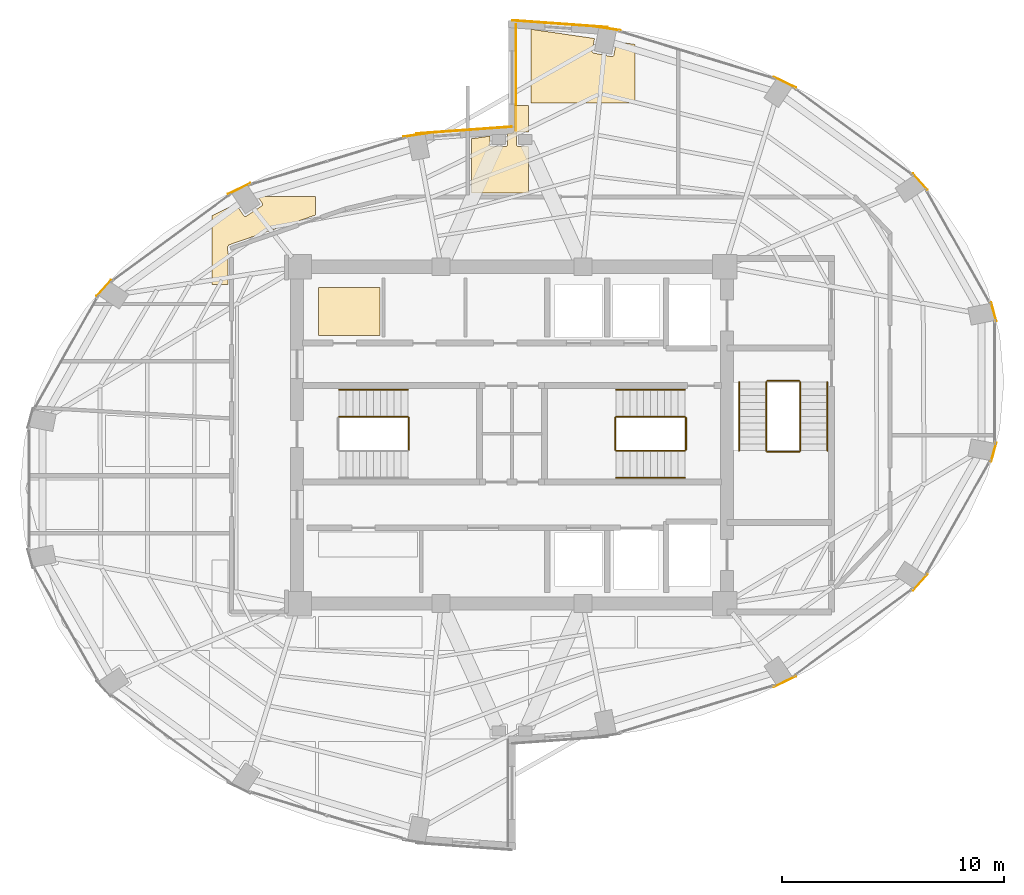
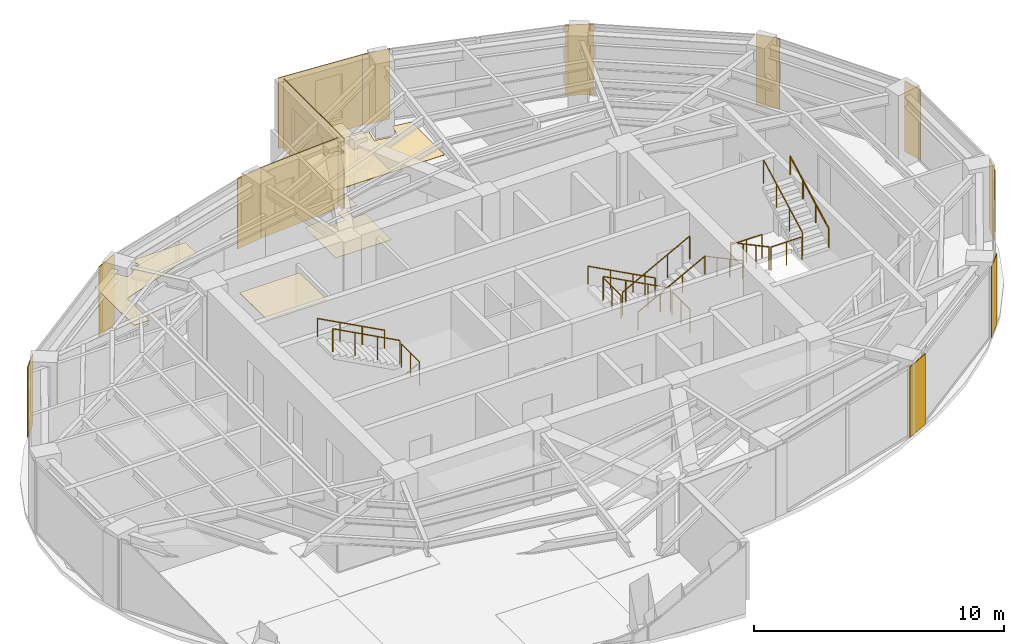
# One storey, part 23 of 23: 18 coverings, 15 railings.
"""IFC4 building model written with IfcOpenShell, lengths in metres."""

from ifc_helpers import new_model, si_unit, direction, frame, origin, origin_2d, place, context, subcontext, project, spatial, polyline, rectangle, circle, outline, extrude, material, layer, layer_set, type_object, element, save


model = new_model("IFC4")

# Units and contexts
model_context = context("Model", 3, precision=1e-05, world=origin(), true_north=direction((0.0, 1.0)))
body_context = subcontext(model_context, "Body", "Model", "MODEL_VIEW")
ifc_project = project(units=[si_unit("LENGTHUNIT", "METRE"), si_unit("AREAUNIT", "SQUARE_METRE"), si_unit("VOLUMEUNIT", "CUBIC_METRE"), si_unit("PLANEANGLEUNIT", "RADIAN"), si_unit("MASSUNIT", "GRAM", prefix="KILO")], contexts=[model_context])

# Site, building, storey
site_placement = place(None, origin())
site = spatial("IfcSite", under=ifc_project, at=site_placement, CompositionType="ELEMENT")
building_placement = place(site_placement, origin())
building = spatial("IfcBuilding", under=site, at=building_placement, Name="Lazwardi Medical Tower", CompositionType="ELEMENT")
storey_placement = place(building_placement, frame((0.0, 0.0, 213.072021484375)))
storey = spatial("IfcBuildingStorey", under=building, at=storey_placement, Name="L55", CompositionType="ELEMENT", Elevation=213.072021484375)

# Coverings
ifc_material_1 = material(Name="Anodised bronze aluminium cassette cladding", Category="aluminium")
ifc_layer_1 = layer(ifc_material_1, 0.030029296875)
ifc_layer_set_1 = layer_set([ifc_layer_1], Name="Anodised bronze aluminium cassette cladding")
covering_type_1 = type_object("IfcCoveringType", Name="COV-CLD-BRZ", PredefinedType="CLADDING", material=ifc_layer_set_1)
covering_1_placement = place(storey_placement, frame((48.311279296875, 16.878662109375, 0.0), z_axis=(0.0, 0.0, 1.0), x_axis=(0.897840141691, 0.440321564278, 0.0)))
element("IfcCovering", 1, at=covering_1_placement, inside=storey, type_object=covering_type_1, Name="L55 Mega-column bronze cassette cover M02", PredefinedType="CLADDING", context=body_context, shape_type="SweptSolid", body=[
    extrude(rectangle(XDim=1.110595703125, YDim=0.030029296875, at=origin_2d()), origin(), (0.0, 0.0, 1.0), 3.447998046875),
])
covering_2_placement = place(storey_placement, frame((54.42529296875, 21.365234375, 0.0), z_axis=(0.0, 0.0, 1.0), x_axis=(0.673240970654, 0.739423150458, 0.0)))
element("IfcCovering", 2, at=covering_2_placement, inside=storey, type_object=covering_type_1, Name="L55 Mega-column bronze cassette cover M03", PredefinedType="CLADDING", context=body_context, shape_type="SweptSolid", body=[
    extrude(rectangle(XDim=0.98974609375, YDim=0.030029296875, at=origin_2d()), origin(), (0.0, 0.0, 1.0), 3.447998046875),
])
for number, where, z_axis, x_axis, name in (
    (3, (57.734130859375, 27.227294921875, 0.0), (0.0, 0.0, 1.0), (0.261641748247, 0.96516506131, 0.0), "L55 Mega-column bronze cassette cover M04"),
    (4, (57.734130859375, 33.572509765625, 0.0), (0.0, 0.0, 1.0), (-0.261641748247, 0.96516506131, 0.0), "L55 Mega-column bronze cassette cover M05"),
):
    element("IfcCovering", number, at=place(storey_placement, frame(where, z_axis=z_axis, x_axis=x_axis)), inside=storey, type_object=covering_type_1, Name=name, PredefinedType="CLADDING", context=body_context, shape_type="SweptSolid", body=[
        extrude(rectangle(XDim=0.894287109375, YDim=0.030029296875, at=origin_2d()), origin(), (0.0, 0.0, 1.0), 3.447998046875),
    ])
covering_3_placement = place(storey_placement, frame((54.42529296875, 39.434814453125, 0.0), z_axis=(0.0, 0.0, 1.0), x_axis=(-0.673240970654, 0.739423150458, 0.0)))
element("IfcCovering", 5, at=covering_3_placement, inside=storey, type_object=covering_type_1, Name="L55 Mega-column bronze cassette cover M06", PredefinedType="CLADDING", context=body_context, shape_type="SweptSolid", body=[
    extrude(rectangle(XDim=0.98974609375, YDim=0.030029296875, at=origin_2d()), origin(), (0.0, 0.0, 1.0), 3.447998046875),
])
covering_4_placement = place(storey_placement, frame((48.311279296875, 43.92138671875, 0.0), z_axis=(0.0, 0.0, 1.0), x_axis=(-0.897840141691, 0.440321564278, 0.0)))
element("IfcCovering", 6, at=covering_4_placement, inside=storey, type_object=covering_type_1, Name="L55 Mega-column bronze cassette cover M07", PredefinedType="CLADDING", context=body_context, shape_type="SweptSolid", body=[
    extrude(rectangle(XDim=1.110595703125, YDim=0.030029296875, at=origin_2d()), origin(), (0.0, 0.0, 1.0), 3.447998046875),
])
for number, where, z_axis, x_axis, name in (
    (7, (40.3232421875, 46.349609375, 0.0), (0.0, 0.0, 1.0), (-0.989512431533, 0.144447733943, 0.0), "L55 Mega-column bronze cassette cover M08"),
    (8, (31.6767578125, 41.549560546875, 0.0), (0.0, 0.0, 1.0), (-0.989512431533, -0.144447733943, 0.0), "L55 Mega-column bronze cassette cover M09"),
):
    element("IfcCovering", number, at=place(storey_placement, frame(where, z_axis=z_axis, x_axis=x_axis)), inside=storey, type_object=covering_type_1, Name=name, PredefinedType="CLADDING", context=body_context, shape_type="SweptSolid", body=[
        extrude(rectangle(XDim=1.188720703125, YDim=0.030029296875, at=origin_2d()), origin(), (0.0, 0.0, 1.0), 3.447998046875),
    ])
covering_5_placement = place(storey_placement, frame((23.688720703125, 39.121337890625, 0.0), z_axis=(0.0, 0.0, 1.0), x_axis=(-0.897840141691, -0.440321564278, 0.0)))
element("IfcCovering", 9, at=covering_5_placement, inside=storey, type_object=covering_type_1, Name="L55 Mega-column bronze cassette cover M10", PredefinedType="CLADDING", context=body_context, shape_type="SweptSolid", body=[
    extrude(rectangle(XDim=1.110595703125, YDim=0.030029296875, at=origin_2d()), origin(), (0.0, 0.0, 1.0), 3.447998046875),
])
covering_6_placement = place(storey_placement, frame((17.57470703125, 34.634765625, 0.0), z_axis=(0.0, 0.0, 1.0), x_axis=(-0.673240970654, -0.739423150458, 0.0)))
element("IfcCovering", 10, at=covering_6_placement, inside=storey, type_object=covering_type_1, Name="L55 Mega-column bronze cassette cover M11", PredefinedType="CLADDING", context=body_context, shape_type="SweptSolid", body=[
    extrude(rectangle(XDim=0.98974609375, YDim=0.030029296875, at=origin_2d()), origin(), (0.0, 0.0, 1.0), 3.447998046875),
])
ifc_material_2 = material(Name="Turquoise glazed ceramic tilework cladding", Category="masonry")
ifc_layer_2 = layer(ifc_material_2, 0.034912109375)
ifc_layer_set_2 = layer_set([ifc_layer_2], Name="Turquoise glazed ceramic tilework cladding")
covering_type_2 = type_object("IfcCoveringType", Name="COV-CLD-TRQ", PredefinedType="CLADDING", material=ifc_layer_set_2)
covering_7_placement = place(storey_placement, frame((38.16259765625, 46.56005859375, 0.0), z_axis=(0.0, 0.0, 1.0), x_axis=(-0.997409491337, 0.071932653157, 0.0)))
element("IfcCovering", 11, at=covering_7_placement, inside=storey, type_object=covering_type_2, Name="L55 Turquoise glazed ceramic tilework cladding", PredefinedType="CLADDING", context=body_context, shape_type="SweptSolid", body=[
    extrude(rectangle(XDim=4.31103515625, YDim=0.034912109375, at=origin_2d()), origin(), (0.0, 0.0, 1.0), 3.447998046875),
])
covering_8_placement = place(storey_placement, frame((33.83740234375, 41.760009765625, 0.0), z_axis=(0.0, 0.0, 1.0), x_axis=(-0.997408989128, -0.071939616387, 0.0)))
element("IfcCovering", 12, at=covering_8_placement, inside=storey, type_object=covering_type_2, Name="L55 Turquoise glazed ceramic tilework cladding", PredefinedType="CLADDING", context=body_context, shape_type="SweptSolid", body=[
    extrude(rectangle(XDim=4.310546875, YDim=0.034912109375, at=origin_2d()), origin(), (0.0, 0.0, 1.0), 3.447998046875),
])
covering_9_placement = place(storey_placement, frame((36.175537109375, 44.139892578125, 0.0), z_axis=(0.0, 0.0, 1.0), x_axis=(0.0, -1.0, 0.0)))
element("IfcCovering", 13, at=covering_9_placement, inside=storey, type_object=covering_type_2, Name="L55 Turquoise glazed ceramic tilework iwan panel", PredefinedType="CLADDING", context=body_context, shape_type="SweptSolid", body=[
    extrude(rectangle(XDim=4.800048828125, YDim=0.034912109375, at=origin_2d()), origin(), (0.0, 0.0, 1.0), 3.447998046875),
])
ifc_material_3 = material(Name="Acoustic mineral fibre tile")
ifc_layer_3 = layer(ifc_material_3, 0.02490234375)
ifc_layer_set_3 = layer_set([ifc_layer_3], Name="Acoustic mineral fibre tile")
covering_type_3 = type_object("IfcCoveringType", Name="COV-CLG-01", PredefinedType="CEILING", material=ifc_layer_set_3)
covering_10_placement = place(storey_placement, frame((0.0, 0.0, 3.302978515625)))
element("IfcCovering", 14, at=covering_10_placement, inside=storey, type_object=covering_type_3, Name="L55 Clinical Acoustic Ceiling 5", PredefinedType="CEILING", context=body_context, shape_type="SweptSolid", body=[
    extrude(outline(polyline([(24.52197265625, 38.7724609375), (24.732177734375, 38.4580078125), (24.736083984375, 38.451171875), (24.739501953125, 38.444091796875), (24.7421875, 38.436767578125), (24.744140625, 38.42919921875), (24.7451171875, 38.42138671875), (24.74560546875, 38.41357421875), (24.7451171875, 38.40576171875), (24.744140625, 38.39794921875), (24.7421875, 38.390380859375), (24.739501953125, 38.3828125), (24.736083984375, 38.375732421875), (24.732177734375, 38.369140625), (24.727294921875, 38.36279296875), (24.72216796875, 38.35693359375), (24.71630859375, 38.351806640625), (24.7099609375, 38.346923828125), (24.01171875, 37.88037109375), (24.0048828125, 37.876220703125), (23.997802734375, 37.872802734375), (23.990478515625, 37.8701171875), (23.98291015625, 37.868408203125), (23.97509765625, 37.8671875), (23.96728515625, 37.86669921875), (23.95947265625, 37.8671875), (23.95166015625, 37.868408203125), (23.944091796875, 37.8701171875), (23.9365234375, 37.872802734375), (23.929443359375, 37.876220703125), (23.9228515625, 37.88037109375), (23.91650390625, 37.885009765625), (23.91064453125, 37.89013671875), (23.905517578125, 37.89599609375), (23.900634765625, 37.90234375), (23.545654296875, 38.43359375), (22.462890625, 37.904052734375), (22.462890625, 34.79248046875), (23.175048828125, 34.79248046875), (23.175048828125, 35.982421875), (23.175048828125, 35.986572265625), (23.175537109375, 35.99609375), (23.176513671875, 36.00439453125), (23.177978515625, 36.01416015625), (23.179443359375, 36.021484375), (23.181884765625, 36.031005859375), (23.1845703125, 36.039306640625), (23.18798828125, 36.04833984375), (23.191162109375, 36.055419921875), (23.1953125, 36.064208984375), (23.199462890625, 36.071533203125), (23.20458984375, 36.079833984375), (23.209228515625, 36.086181640625), (23.212158203125, 36.090087890625), (23.1591796875, 36.40625), (23.15869140625, 36.410400390625), (23.15771484375, 36.419921875), (23.156982421875, 36.42724609375), (23.156982421875, 36.436767578125), (23.1572265625, 36.446044921875), (23.158203125, 36.45556640625), (23.1591796875, 36.462158203125), (23.160888671875, 36.4716796875), (23.162841796875, 36.480224609375), (23.16552734375, 36.4892578125), (23.16796875, 36.49658203125), (23.171630859375, 36.50537109375), (23.1748046875, 36.512451171875), (23.17919921875, 36.52099609375), (23.183837890625, 36.5283203125), (23.189208984375, 36.536376953125), (23.19384765625, 36.54248046875), (23.199951171875, 36.550048828125), (23.205078125, 36.5556640625), (23.211669921875, 36.5625), (23.218017578125, 36.56787109375), (23.225341796875, 36.573974609375), (23.2314453125, 36.57861328125), (23.239501953125, 36.583740234375), (23.24658203125, 36.587890625), (23.2548828125, 36.59228515625), (23.2626953125, 36.595947265625), (23.271728515625, 36.599365234375), (23.27490234375, 36.6005859375), (27.142822265625, 37.932861328125), (27.142822265625, 38.7724609375), (24.52197265625, 38.7724609375)])), origin(), (0.0, 0.0, 1.0), 0.02490234375),
])
covering_11_placement = place(storey_placement, frame((0.0, 0.0, 3.302978515625)))
element("IfcCovering", 15, at=covering_11_placement, inside=storey, type_object=covering_type_3, Name="L55 Clinical Acoustic Ceiling 7", PredefinedType="CEILING", context=body_context, shape_type="SweptSolid", body=[
    extrude(outline(polyline([(27.262939453125, 32.5), (30.0400390625, 32.5), (30.0400390625, 34.672607421875), (27.262939453125, 34.672607421875), (27.262939453125, 32.5)])), origin(), (0.0, 0.0, 1.0), 0.02490234375),
])
covering_12_placement = place(storey_placement, frame((0.0, 0.0, 3.302978515625)))
element("IfcCovering", 16, at=covering_12_placement, inside=storey, type_object=covering_type_3, Name="L55 Clinical Acoustic Ceiling 9", PredefinedType="CEILING", context=body_context, shape_type="SweptSolid", body=[
    extrude(outline(polyline([(36.742919921875, 41.02490234375), (36.280029296875, 41.02490234375), (36.272216796875, 41.025390625), (36.264404296875, 41.026611328125), (36.2568359375, 41.0283203125), (36.24951171875, 41.031005859375), (36.2421875, 41.034423828125), (36.235595703125, 41.03857421875), (36.229248046875, 41.043212890625), (36.223388671875, 41.04833984375), (36.21826171875, 41.05419921875), (36.21337890625, 41.060546875), (36.20947265625, 41.0673828125), (36.2060546875, 41.074462890625), (36.203369140625, 41.081787109375), (36.201416015625, 41.08935546875), (36.200439453125, 41.09716796875), (36.199951171875, 41.10498046875), (36.199951171875, 41.594970703125), (36.200439453125, 41.602783203125), (36.201416015625, 41.610595703125), (36.203369140625, 41.6181640625), (36.2060546875, 41.62548828125), (36.20947265625, 41.6328125), (36.21337890625, 41.639404296875), (36.21826171875, 41.645751953125), (36.223388671875, 41.651611328125), (36.229248046875, 41.65673828125), (36.235595703125, 41.66162109375), (36.2421875, 41.66552734375), (36.24951171875, 41.6689453125), (36.2568359375, 41.671630859375), (36.264404296875, 41.673583984375), (36.272216796875, 41.674560546875), (36.280029296875, 41.675048828125), (36.742919921875, 41.675048828125), (36.742919921875, 42.87255859375), (36.080078125, 42.87255859375), (36.080078125, 41.719970703125), (36.07958984375, 41.71240234375), (36.07861328125, 41.704833984375), (36.076904296875, 41.697509765625), (36.07421875, 41.690185546875), (36.071044921875, 41.683349609375), (36.0673828125, 41.6767578125), (36.06298828125, 41.670654296875), (36.05810546875, 41.664794921875), (36.052490234375, 41.65966796875), (36.04638671875, 41.65478515625), (36.0400390625, 41.65087890625), (36.033203125, 41.647216796875), (36.0263671875, 41.644287109375), (36.01904296875, 41.642333984375), (36.011474609375, 41.640869140625), (35.798583984375, 41.60986328125), (35.799560546875, 41.602783203125), (35.800048828125, 41.594970703125), (35.800048828125, 41.10498046875), (35.799560546875, 41.09716796875), (35.798583984375, 41.08935546875), (35.796630859375, 41.081787109375), (35.7939453125, 41.074462890625), (35.79052734375, 41.0673828125), (35.78662109375, 41.060546875), (35.78173828125, 41.05419921875), (35.776611328125, 41.04833984375), (35.770751953125, 41.043212890625), (35.764404296875, 41.03857421875), (35.7578125, 41.034423828125), (35.75048828125, 41.031005859375), (35.7431640625, 41.0283203125), (35.735595703125, 41.026611328125), (35.727783203125, 41.025390625), (35.719970703125, 41.02490234375), (35.080078125, 41.02490234375), (35.072265625, 41.025390625), (35.064453125, 41.026611328125), (35.056884765625, 41.0283203125), (35.04931640625, 41.031005859375), (35.042236328125, 41.034423828125), (35.03564453125, 41.03857421875), (35.029296875, 41.043212890625), (35.0234375, 41.04833984375), (35.018310546875, 41.05419921875), (35.013427734375, 41.060546875), (35.009521484375, 41.0673828125), (35.006103515625, 41.074462890625), (35.00341796875, 41.081787109375), (35.00146484375, 41.08935546875), (35.00048828125, 41.09716796875), (35.0, 41.10498046875), (35.0, 41.493408203125), (34.1650390625, 41.371826171875), (34.1650390625, 38.925048828125), (36.742919921875, 38.925048828125), (36.742919921875, 41.02490234375)])), origin(), (0.0, 0.0, 1.0), 0.02490234375),
])
ifc_material_4 = material(Name="Anti-static hospital vinyl sheet flooring")
ifc_layer_4 = layer(ifc_material_4, 0.014892578125)
ifc_layer_set_4 = layer_set([ifc_layer_4], Name="Anti-static hospital vinyl sheet flooring")
covering_type_4 = type_object("IfcCoveringType", Name="COV-FLR-01", PredefinedType="FLOORING", material=ifc_layer_set_4)
covering_13_placement = place(storey_placement, origin())
element("IfcCovering", 17, at=covering_13_placement, inside=storey, type_object=covering_type_4, Name="L55 Clinical Vinyl Flooring 8", PredefinedType="FLOORING", context=body_context, shape_type="SweptSolid", body=[
    extrude(outline(polyline([(36.742919921875, 41.02490234375), (36.280029296875, 41.02490234375), (36.272216796875, 41.025390625), (36.264404296875, 41.026611328125), (36.2568359375, 41.0283203125), (36.24951171875, 41.031005859375), (36.2421875, 41.034423828125), (36.235595703125, 41.03857421875), (36.229248046875, 41.043212890625), (36.223388671875, 41.04833984375), (36.21826171875, 41.05419921875), (36.21337890625, 41.060546875), (36.20947265625, 41.0673828125), (36.2060546875, 41.074462890625), (36.203369140625, 41.081787109375), (36.201416015625, 41.08935546875), (36.200439453125, 41.09716796875), (36.199951171875, 41.10498046875), (36.199951171875, 41.594970703125), (36.200439453125, 41.602783203125), (36.201416015625, 41.610595703125), (36.203369140625, 41.6181640625), (36.2060546875, 41.62548828125), (36.20947265625, 41.6328125), (36.21337890625, 41.639404296875), (36.21826171875, 41.645751953125), (36.223388671875, 41.651611328125), (36.229248046875, 41.65673828125), (36.235595703125, 41.66162109375), (36.2421875, 41.66552734375), (36.24951171875, 41.6689453125), (36.2568359375, 41.671630859375), (36.264404296875, 41.673583984375), (36.272216796875, 41.674560546875), (36.280029296875, 41.675048828125), (36.742919921875, 41.675048828125), (36.742919921875, 42.87255859375), (36.080078125, 42.87255859375), (36.080078125, 41.719970703125), (36.07958984375, 41.71240234375), (36.07861328125, 41.704833984375), (36.076904296875, 41.697509765625), (36.07421875, 41.690185546875), (36.071044921875, 41.683349609375), (36.0673828125, 41.6767578125), (36.06298828125, 41.670654296875), (36.05810546875, 41.664794921875), (36.052490234375, 41.65966796875), (36.04638671875, 41.65478515625), (36.0400390625, 41.65087890625), (36.033203125, 41.647216796875), (36.0263671875, 41.644287109375), (36.01904296875, 41.642333984375), (36.011474609375, 41.640869140625), (35.798583984375, 41.60986328125), (35.799560546875, 41.602783203125), (35.800048828125, 41.594970703125), (35.800048828125, 41.10498046875), (35.799560546875, 41.09716796875), (35.798583984375, 41.08935546875), (35.796630859375, 41.081787109375), (35.7939453125, 41.074462890625), (35.79052734375, 41.0673828125), (35.78662109375, 41.060546875), (35.78173828125, 41.05419921875), (35.776611328125, 41.04833984375), (35.770751953125, 41.043212890625), (35.764404296875, 41.03857421875), (35.7578125, 41.034423828125), (35.75048828125, 41.031005859375), (35.7431640625, 41.0283203125), (35.735595703125, 41.026611328125), (35.727783203125, 41.025390625), (35.719970703125, 41.02490234375), (35.080078125, 41.02490234375), (35.072265625, 41.025390625), (35.064453125, 41.026611328125), (35.056884765625, 41.0283203125), (35.04931640625, 41.031005859375), (35.042236328125, 41.034423828125), (35.03564453125, 41.03857421875), (35.029296875, 41.043212890625), (35.0234375, 41.04833984375), (35.018310546875, 41.05419921875), (35.013427734375, 41.060546875), (35.009521484375, 41.0673828125), (35.006103515625, 41.074462890625), (35.00341796875, 41.081787109375), (35.00146484375, 41.08935546875), (35.00048828125, 41.09716796875), (35.0, 41.10498046875), (35.0, 41.493408203125), (34.1650390625, 41.371826171875), (34.1650390625, 38.925048828125), (36.742919921875, 38.925048828125), (36.742919921875, 41.02490234375)])), origin(), (0.0, 0.0, 1.0), 0.014892578125),
])
covering_14_placement = place(storey_placement, origin())
element("IfcCovering", 18, at=covering_14_placement, inside=storey, type_object=covering_type_4, Name="L55 Clinical Vinyl Flooring 10", PredefinedType="FLOORING", context=body_context, shape_type="SweptSolid", body=[
    extrude(outline(polyline([(41.54296875, 45.632080078125), (40.714599609375, 45.752685546875), (40.59326171875, 45.1416015625), (40.59130859375, 45.134033203125), (40.588623046875, 45.126708984375), (40.585205078125, 45.11962890625), (40.581298828125, 45.11279296875), (40.576416015625, 45.1064453125), (40.5712890625, 45.1005859375), (40.5654296875, 45.095458984375), (40.55908203125, 45.0908203125), (40.552490234375, 45.086669921875), (40.54541015625, 45.08349609375), (40.537841796875, 45.080810546875), (40.5302734375, 45.078857421875), (40.5224609375, 45.07763671875), (40.5146484375, 45.077392578125), (40.5068359375, 45.07763671875), (40.4990234375, 45.078857421875), (39.67529296875, 45.24267578125), (39.667724609375, 45.24462890625), (39.660400390625, 45.247314453125), (39.6533203125, 45.25048828125), (39.646484375, 45.254638671875), (39.64013671875, 45.259521484375), (39.63427734375, 45.2646484375), (39.629150390625, 45.2705078125), (39.62451171875, 45.27685546875), (39.620361328125, 45.283447265625), (39.616943359375, 45.29052734375), (39.6142578125, 45.298095703125), (39.6123046875, 45.3056640625), (39.611328125, 45.3134765625), (39.61083984375, 45.3212890625), (39.611328125, 45.3291015625), (39.6123046875, 45.3369140625), (39.723876953125, 45.89697265625), (36.86279296875, 46.3134765625), (36.86279296875, 42.992431640625), (41.54296875, 42.992431640625), (41.54296875, 45.632080078125)])), origin(), (0.0, 0.0, 1.0), 0.014892578125),
])

# Railings
ifc_material_5 = material(Name="Stainless steel Grade 316", Category="steel")
railing_type_1 = type_object("IfcRailingType", Name="RLG-GRD-1150", PredefinedType="GUARDRAIL", material=ifc_material_5)
railing_1_placement = place(storey_placement, frame((31.35009765625, 27.340087890625, 1.823974609375)))
element("IfcRailing", 19, at=railing_1_placement, inside=storey, type_object=railing_type_1, Name="L55 ST1 stair guard 2", PredefinedType="GUARDRAIL", context=body_context, shape_type="SweptSolid", body=[
    extrude(circle(Radius=0.02392578125, at=origin_2d()), frame((0.0, 0.0, 1.1259765625), z_axis=(0.0, 1.0, 0.0), x_axis=(-1.0, 0.0, 0.0)), (0.0, 0.0, 1.0), 1.43994140625),
    extrude(circle(Radius=0.02099609375, at=origin_2d()), origin(), (0.0, 0.0, 1.0), 1.099853515625),
    extrude(circle(Radius=0.02099609375, at=origin_2d()), frame((0.0, 0.719970703125, 0.0)), (0.0, 0.0, 1.0), 1.099853515625),
    extrude(circle(Radius=0.02099609375, at=origin_2d()), frame((0.0, 1.43994140625, 0.0)), (0.0, 0.0, 1.0), 1.099853515625),
])
for number, where, name in (
    (20, (31.300048828125, 28.830078125, 1.98974609375), "L55 ST1 stair guard 3"),
    (21, (43.800048828125, 28.830078125, 0.165771484375), "L55 ST2 stair guard 1"),
):
    element("IfcRailing", number, at=place(storey_placement, frame(where)), inside=storey, type_object=railing_type_1, Name=name, PredefinedType="GUARDRAIL", context=body_context, shape_type="SweptSolid", body=[
        extrude(circle(Radius=0.02392578125, at=origin_2d()), frame((0.0, 0.0, 1.1259765625), z_axis=(-0.881783298633, 0.0, 0.471654761719), x_axis=(0.0, -1.0, 0.0)), (0.0, 0.0, 1.0), 3.515625),
        extrude(circle(Radius=0.02099609375, at=origin_2d()), origin(), (0.0, 0.0, 1.0), 1.099853515625),
        extrude(circle(Radius=0.02099609375, at=origin_2d()), frame((-1.033447265625, 0.0, 0.552734375)), (0.0, 0.0, 1.0), 1.099853515625),
        extrude(circle(Radius=0.02099609375, at=origin_2d()), frame((-2.066650390625, 0.0, 1.10546875)), (0.0, 0.0, 1.0), 1.099853515625),
        extrude(circle(Radius=0.02099609375, at=origin_2d()), frame((-3.10009765625, 0.0, 1.658203125)), (0.0, 0.0, 1.0), 1.099853515625),
    ])
railing_2_placement = place(storey_placement, frame((40.64990234375, 28.780029296875, 1.823974609375)))
element("IfcRailing", 22, at=railing_2_placement, inside=storey, type_object=railing_type_1, Name="L55 ST2 stair guard 2", PredefinedType="GUARDRAIL", context=body_context, shape_type="SweptSolid", body=[
    extrude(circle(Radius=0.02392578125, at=origin_2d()), frame((0.0, 0.0, 1.1259765625), z_axis=(0.0, -1.0, 0.0), x_axis=(1.0, 0.0, 0.0)), (0.0, 0.0, 1.0), 1.43994140625),
    extrude(circle(Radius=0.02099609375, at=origin_2d()), origin(), (0.0, 0.0, 1.0), 1.099853515625),
    extrude(circle(Radius=0.02099609375, at=origin_2d()), frame((0.0, -0.719970703125, 0.0)), (0.0, 0.0, 1.0), 1.099853515625),
    extrude(circle(Radius=0.02099609375, at=origin_2d()), frame((0.0, -1.43994140625, 0.0)), (0.0, 0.0, 1.0), 1.099853515625),
])
railing_3_placement = place(storey_placement, frame((40.699951171875, 27.2900390625, 1.98974609375)))
element("IfcRailing", 23, at=railing_3_placement, inside=storey, type_object=railing_type_1, Name="L55 ST2 stair guard 3", PredefinedType="GUARDRAIL", context=body_context, shape_type="SweptSolid", body=[
    extrude(circle(Radius=0.02392578125, at=origin_2d()), frame((0.0, 0.0, 1.1259765625), z_axis=(0.881783298633, 0.0, 0.471654761719), x_axis=(0.0, 1.0, 0.0)), (0.0, 0.0, 1.0), 3.515625),
    extrude(circle(Radius=0.02099609375, at=origin_2d()), origin(), (0.0, 0.0, 1.0), 1.099853515625),
    extrude(circle(Radius=0.02099609375, at=origin_2d()), frame((1.033447265625, 0.0, 0.552734375)), (0.0, 0.0, 1.0), 1.099853515625),
    extrude(circle(Radius=0.02099609375, at=origin_2d()), frame((2.066650390625, 0.0, 1.10546875)), (0.0, 0.0, 1.0), 1.099853515625),
    extrude(circle(Radius=0.02099609375, at=origin_2d()), frame((3.10009765625, 0.0, 1.658203125)), (0.0, 0.0, 1.0), 1.099853515625),
])
railing_4_placement = place(storey_placement, frame((43.85009765625, 28.780029296875, 0.0)))
element("IfcRailing", 24, at=railing_4_placement, inside=storey, type_object=railing_type_1, Name="L55 ST2 stair guard 4", PredefinedType="GUARDRAIL", context=body_context, shape_type="SweptSolid", body=[
    extrude(circle(Radius=0.02392578125, at=origin_2d()), frame((0.0, 0.0, 1.1259765625), z_axis=(0.0, -1.0, 0.0), x_axis=(1.0, 0.0, 0.0)), (0.0, 0.0, 1.0), 1.43994140625),
    extrude(circle(Radius=0.02099609375, at=origin_2d()), origin(), (0.0, 0.0, 1.0), 1.099853515625),
    extrude(circle(Radius=0.02099609375, at=origin_2d()), frame((0.0, -0.719970703125, 0.0)), (0.0, 0.0, 1.0), 1.099853515625),
    extrude(circle(Radius=0.02099609375, at=origin_2d()), frame((0.0, -1.43994140625, 0.0)), (0.0, 0.0, 1.0), 1.099853515625),
])
railing_5_placement = place(storey_placement, frame((47.469970703125, 30.39990234375, 0.165771484375)))
element("IfcRailing", 25, at=railing_5_placement, inside=storey, type_object=railing_type_1, Name="L55 ST3 stair guard 1", PredefinedType="GUARDRAIL", context=body_context, shape_type="SweptSolid", body=[
    extrude(circle(Radius=0.02392578125, at=origin_2d()), frame((0.0, 0.0, 1.1259765625), z_axis=(0.0, -0.881767849116, 0.471683644262), x_axis=(1.0, 0.0, 0.0)), (0.0, 0.0, 1.0), 3.515380859375),
    extrude(circle(Radius=0.02099609375, at=origin_2d()), origin(), (0.0, 0.0, 1.0), 1.099853515625),
    extrude(circle(Radius=0.02099609375, at=origin_2d()), frame((0.0, -1.033203125, 0.552734375)), (0.0, 0.0, 1.0), 1.099853515625),
    extrude(circle(Radius=0.02099609375, at=origin_2d()), frame((0.0, -2.066650390625, 1.10546875)), (0.0, 0.0, 1.0), 1.099853515625),
    extrude(circle(Radius=0.02099609375, at=origin_2d()), frame((0.0, -3.099853515625, 1.658203125)), (0.0, 0.0, 1.0), 1.099853515625),
])
railing_6_placement = place(storey_placement, frame((47.52001953125, 27.25, 1.823974609375)))
element("IfcRailing", 26, at=railing_6_placement, inside=storey, type_object=railing_type_1, Name="L55 ST3 stair guard 2", PredefinedType="GUARDRAIL", context=body_context, shape_type="SweptSolid", body=[
    extrude(circle(Radius=0.02392578125, at=origin_2d()), frame((0.0, 0.0, 1.1259765625), z_axis=(1.0, 0.0, 0.0), x_axis=(0.0, 1.0, 0.0)), (0.0, 0.0, 1.0), 1.43994140625),
    extrude(circle(Radius=0.02099609375, at=origin_2d()), origin(), (0.0, 0.0, 1.0), 1.099853515625),
    extrude(circle(Radius=0.02099609375, at=origin_2d()), frame((0.719970703125, 0.0, 0.0)), (0.0, 0.0, 1.0), 1.099853515625),
    extrude(circle(Radius=0.02099609375, at=origin_2d()), frame((1.43994140625, 0.0, 0.0)), (0.0, 0.0, 1.0), 1.099853515625),
])
railing_7_placement = place(storey_placement, frame((49.010009765625, 27.300048828125, 1.98974609375)))
element("IfcRailing", 27, at=railing_7_placement, inside=storey, type_object=railing_type_1, Name="L55 ST3 stair guard 3", PredefinedType="GUARDRAIL", context=body_context, shape_type="SweptSolid", body=[
    extrude(circle(Radius=0.02392578125, at=origin_2d()), frame((0.0, 0.0, 1.1259765625), z_axis=(0.0, 0.881767849116, 0.471683644262), x_axis=(-1.0, 0.0, 0.0)), (0.0, 0.0, 1.0), 3.515380859375),
    extrude(circle(Radius=0.02099609375, at=origin_2d()), origin(), (0.0, 0.0, 1.0), 1.099853515625),
    extrude(circle(Radius=0.02099609375, at=origin_2d()), frame((0.0, 1.033203125, 0.552734375)), (0.0, 0.0, 1.0), 1.099853515625),
    extrude(circle(Radius=0.02099609375, at=origin_2d()), frame((0.0, 2.066650390625, 1.10546875)), (0.0, 0.0, 1.0), 1.099853515625),
    extrude(circle(Radius=0.02099609375, at=origin_2d()), frame((0.0, 3.099853515625, 1.658203125)), (0.0, 0.0, 1.0), 1.099853515625),
])
railing_8_placement = place(storey_placement, frame((47.52001953125, 30.449951171875, 0.0)))
element("IfcRailing", 28, at=railing_8_placement, inside=storey, type_object=railing_type_1, Name="L55 ST3 stair guard 4", PredefinedType="GUARDRAIL", context=body_context, shape_type="SweptSolid", body=[
    extrude(circle(Radius=0.02392578125, at=origin_2d()), frame((0.0, 0.0, 1.1259765625), z_axis=(1.0, 0.0, 0.0), x_axis=(0.0, 1.0, 0.0)), (0.0, 0.0, 1.0), 1.43994140625),
    extrude(circle(Radius=0.02099609375, at=origin_2d()), origin(), (0.0, 0.0, 1.0), 1.099853515625),
    extrude(circle(Radius=0.02099609375, at=origin_2d()), frame((0.719970703125, 0.0, 0.0)), (0.0, 0.0, 1.0), 1.099853515625),
    extrude(circle(Radius=0.02099609375, at=origin_2d()), frame((1.43994140625, 0.0, 0.0)), (0.0, 0.0, 1.0), 1.099853515625),
])
railing_type_2 = type_object("IfcRailingType", Name="RLG-HND-920", PredefinedType="HANDRAIL", material=ifc_material_5)
for number, where, name in (
    (29, (31.300048828125, 30.050048828125, 1.98974609375), "L55 ST1 stair handrail 2"),
    (30, (43.800048828125, 30.050048828125, 0.165771484375), "L55 ST2 stair handrail 1"),
):
    element("IfcRailing", number, at=place(storey_placement, frame(where)), inside=storey, type_object=railing_type_2, Name=name, PredefinedType="HANDRAIL", context=body_context, shape_type="SweptSolid", body=[
        extrude(circle(Radius=0.02392578125, at=origin_2d()), frame((0.0, 0.0, 0.8857421875), z_axis=(-0.881783298633, 0.0, 0.471654761719), x_axis=(0.0, -1.0, 0.0)), (0.0, 0.0, 1.0), 3.515625),
        extrude(circle(Radius=0.02099609375, at=origin_2d()), origin(), (0.0, 0.0, 1.0), 0.85986328125),
        extrude(circle(Radius=0.02099609375, at=origin_2d()), frame((-1.033447265625, 0.0, 0.552734375)), (0.0, 0.0, 1.0), 0.85986328125),
        extrude(circle(Radius=0.02099609375, at=origin_2d()), frame((-2.066650390625, 0.0, 1.10546875)), (0.0, 0.0, 1.0), 0.85986328125),
        extrude(circle(Radius=0.02099609375, at=origin_2d()), frame((-3.10009765625, 0.0, 1.658203125)), (0.0, 0.0, 1.0), 0.85986328125),
    ])
railing_9_placement = place(storey_placement, frame((40.699951171875, 26.070068359375, 1.98974609375)))
element("IfcRailing", 31, at=railing_9_placement, inside=storey, type_object=railing_type_2, Name="L55 ST2 stair handrail 2", PredefinedType="HANDRAIL", context=body_context, shape_type="SweptSolid", body=[
    extrude(circle(Radius=0.02392578125, at=origin_2d()), frame((0.0, 0.0, 0.8857421875), z_axis=(0.881783298633, 0.0, 0.471654761719), x_axis=(0.0, 1.0, 0.0)), (0.0, 0.0, 1.0), 3.515625),
    extrude(circle(Radius=0.02099609375, at=origin_2d()), origin(), (0.0, 0.0, 1.0), 0.85986328125),
    extrude(circle(Radius=0.02099609375, at=origin_2d()), frame((1.033447265625, 0.0, 0.552734375)), (0.0, 0.0, 1.0), 0.85986328125),
    extrude(circle(Radius=0.02099609375, at=origin_2d()), frame((2.066650390625, 0.0, 1.10546875)), (0.0, 0.0, 1.0), 0.85986328125),
    extrude(circle(Radius=0.02099609375, at=origin_2d()), frame((3.10009765625, 0.0, 1.658203125)), (0.0, 0.0, 1.0), 0.85986328125),
])
railing_10_placement = place(storey_placement, frame((46.25, 30.39990234375, 0.165771484375)))
element("IfcRailing", 32, at=railing_10_placement, inside=storey, type_object=railing_type_2, Name="L55 ST3 stair handrail 1", PredefinedType="HANDRAIL", context=body_context, shape_type="SweptSolid", body=[
    extrude(circle(Radius=0.02392578125, at=origin_2d()), frame((0.0, 0.0, 0.8857421875), z_axis=(0.0, -0.881767849116, 0.471683644262), x_axis=(1.0, 0.0, 0.0)), (0.0, 0.0, 1.0), 3.515380859375),
    extrude(circle(Radius=0.02099609375, at=origin_2d()), origin(), (0.0, 0.0, 1.0), 0.85986328125),
    extrude(circle(Radius=0.02099609375, at=origin_2d()), frame((0.0, -1.033203125, 0.552734375)), (0.0, 0.0, 1.0), 0.85986328125),
    extrude(circle(Radius=0.02099609375, at=origin_2d()), frame((0.0, -2.066650390625, 1.10546875)), (0.0, 0.0, 1.0), 0.85986328125),
    extrude(circle(Radius=0.02099609375, at=origin_2d()), frame((0.0, -3.099853515625, 1.658203125)), (0.0, 0.0, 1.0), 0.85986328125),
])
railing_11_placement = place(storey_placement, frame((50.22998046875, 27.300048828125, 1.98974609375)))
element("IfcRailing", 33, at=railing_11_placement, inside=storey, type_object=railing_type_2, Name="L55 ST3 stair handrail 2", PredefinedType="HANDRAIL", context=body_context, shape_type="SweptSolid", body=[
    extrude(circle(Radius=0.02392578125, at=origin_2d()), frame((0.0, 0.0, 0.8857421875), z_axis=(0.0, 0.881767849116, 0.471683644262), x_axis=(-1.0, 0.0, 0.0)), (0.0, 0.0, 1.0), 3.515380859375),
    extrude(circle(Radius=0.02099609375, at=origin_2d()), origin(), (0.0, 0.0, 1.0), 0.85986328125),
    extrude(circle(Radius=0.02099609375, at=origin_2d()), frame((0.0, 1.033203125, 0.552734375)), (0.0, 0.0, 1.0), 0.85986328125),
    extrude(circle(Radius=0.02099609375, at=origin_2d()), frame((0.0, 2.066650390625, 1.10546875)), (0.0, 0.0, 1.0), 0.85986328125),
    extrude(circle(Radius=0.02099609375, at=origin_2d()), frame((0.0, 3.099853515625, 1.658203125)), (0.0, 0.0, 1.0), 0.85986328125),
])

save(model, "model.ifc")
